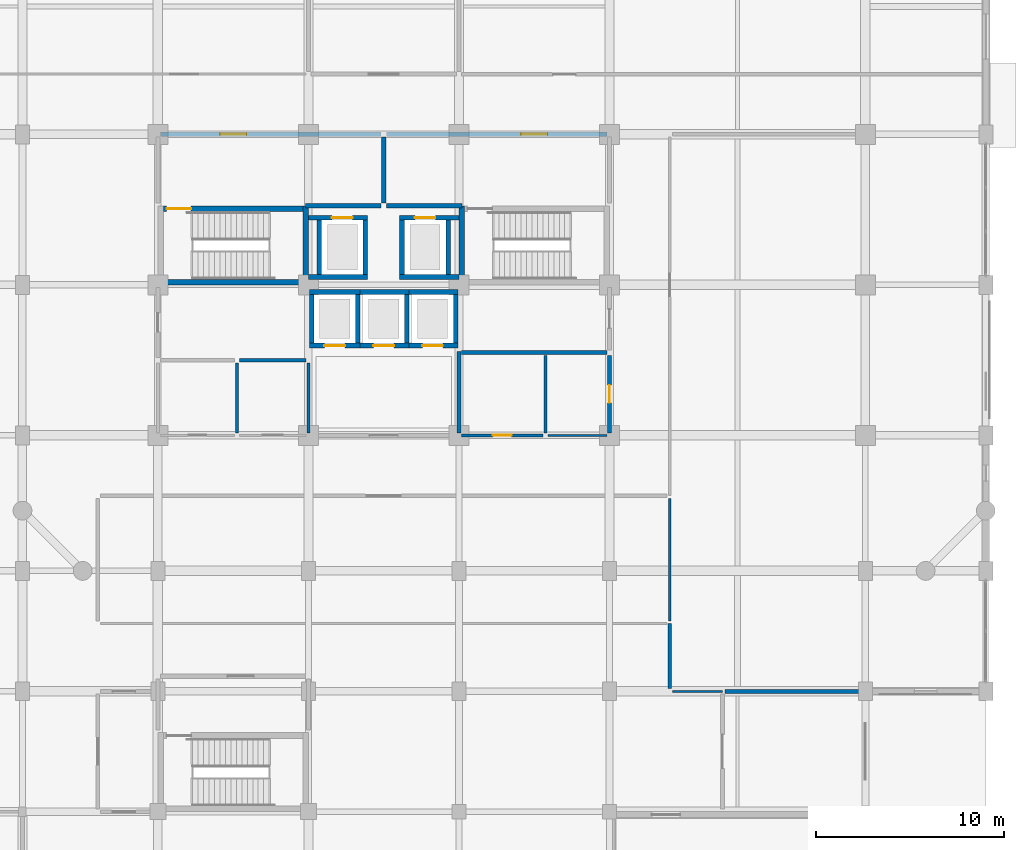
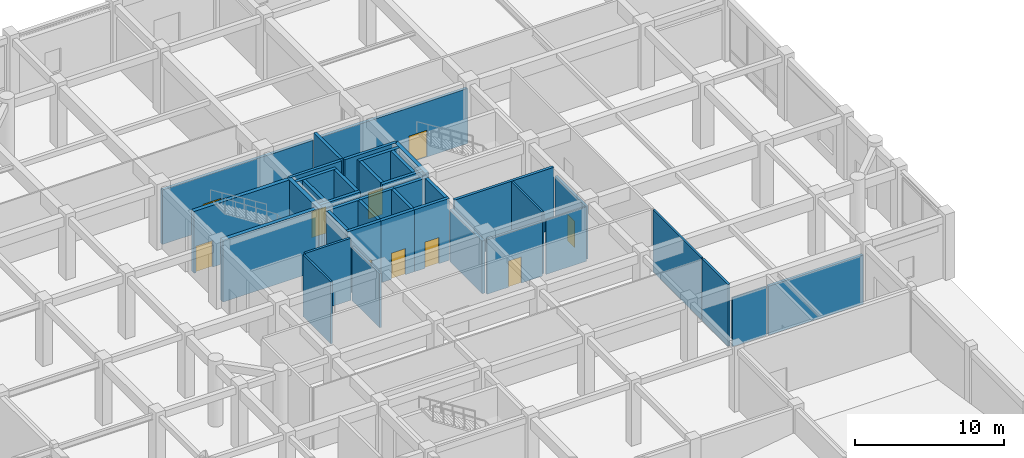
# One storey, part 33 of 40: 40 walls, 10 doors, 10 openings.
"""IFC4 building model written with IfcOpenShell, lengths in metres."""

from ifc_helpers import new_model, si_unit, direction, frame, frame_2d, origin, place, context, subcontext, project, spatial, rectangle, extrude, material, layer, layer_set, type_object, element, fill, save


model = new_model("IFC4")

# Units and contexts
model_context = context("Model", 3, precision=1e-05, world=origin(), true_north=direction((0.0, 1.0)))
body_context = subcontext(model_context, "Body", "Model", "MODEL_VIEW")
ifc_project = project(units=[si_unit("LENGTHUNIT", "METRE"), si_unit("AREAUNIT", "SQUARE_METRE"), si_unit("VOLUMEUNIT", "CUBIC_METRE"), si_unit("PLANEANGLEUNIT", "RADIAN"), si_unit("MASSUNIT", "GRAM", prefix="KILO")], contexts=[model_context])

# Site, building, storey
site_placement = place(None, origin())
site = spatial("IfcSite", under=ifc_project, at=site_placement, CompositionType="ELEMENT")
building_placement = place(site_placement, origin())
building = spatial("IfcBuilding", under=site, at=building_placement, Name="Vellmiral Cinema and Media Centre", CompositionType="ELEMENT")
storey_placement = place(building_placement, origin())
storey = spatial("IfcBuildingStorey", under=building, at=storey_placement, Name="L00", CompositionType="ELEMENT", Elevation=0.0)

# Walls
ifc_material_1 = material(Name="Concrete C40/50", Category="concrete")
ifc_layer_1 = layer(ifc_material_1, 0.2099609375, Name="Concrete C40/50")
ifc_layer_set_1 = layer_set([ifc_layer_1], Name="Concrete C40/50")
wall_type_1 = type_object("IfcWallType", Name="WL-COMP-210", PredefinedType="SOLIDWALL", material=ifc_layer_set_1)
wall_1_placement = place(storey_placement, frame((140.139892578125, 83.60009765625, 0.0), z_axis=(0.0, 0.0, 1.0), x_axis=(1.0, 0.0, 0.0)))
element("IfcWall", 1, at=wall_1_placement, inside=storey, type_object=wall_type_1, Name="Mechanical Riser and Duct Room Wall S", PredefinedType="SOLIDWALL", context=body_context, shape_type="SweptSolid", body=[
    extrude(rectangle(XDim=7.72021484375, YDim=0.2099609375, at=frame_2d((3.860107421875, 0.0))), origin(), (0.0, 0.0, 1.0), 5.080078125),
])
wall_2_placement = place(storey_placement, frame((154.139892578125, 65.60009765625, 0.0), z_axis=(0.0, 0.0, 1.0), x_axis=(1.0, 0.0, 0.0)))
element("IfcWall", 2, at=wall_2_placement, inside=storey, type_object=wall_type_1, Name="Broadcast Ground Loading Bay Wall N", PredefinedType="SOLIDWALL", context=body_context, shape_type="SweptSolid", body=[
    extrude(rectangle(XDim=7.355224609375, YDim=0.2099609375, at=frame_2d((3.677734375, 0.0))), origin(), (0.0, 0.0, 1.0), 4.02490234375),
])
ifc_material_2 = material(Name="Concrete C40/50", Category="concrete")
ifc_layer_2 = layer(ifc_material_2, 0.300048828125, Name="Concrete C40/50")
ifc_layer_set_2 = layer_set([ifc_layer_2], Name="Concrete C40/50")
wall_type_2 = type_object("IfcWallType", Name="WL-CORE-300", PredefinedType="SHEAR", material=ifc_layer_set_2)
wall_3_placement = place(storey_placement, frame((131.85009765625, 87.199951171875, 0.0), z_axis=(0.0, 0.0, 1.0), x_axis=(0.0, 1.0, 0.0)))
element("IfcWall", 3, at=wall_3_placement, inside=storey, type_object=wall_type_2, Name="Stair Core Wall ST-T1 L00-E", PredefinedType="SHEAR", context=body_context, shape_type="SweptSolid", body=[
    extrude(rectangle(XDim=4.199951171875, YDim=0.300048828125, at=frame_2d((2.10009765625, 0.0))), origin(), (0.0, 0.0, 1.0), 5.080078125),
])
wall_4_placement = place(storey_placement, frame((124.300048828125, 87.35009765625, 0.0), z_axis=(0.0, 0.0, 1.0), x_axis=(1.0, 0.0, 0.0)))
element("IfcWall", 4, at=wall_4_placement, inside=storey, type_object=wall_type_2, Name="Stair Core Wall ST-T1 L00-S", PredefinedType="SHEAR", context=body_context, shape_type="SweptSolid", body=[
    extrude(rectangle(XDim=7.39990234375, YDim=0.300048828125, at=frame_2d((3.699951171875, 0.0))), origin(), (0.0, 0.0, 1.0), 5.080078125),
])

# Wall, opening, door
wall_5_placement = place(storey_placement, frame((124.300048828125, 91.25, 0.0), z_axis=(0.0, 0.0, 1.0), x_axis=(1.0, 0.0, 0.0)))
wall_5 = element("IfcWall", 5, at=wall_5_placement, inside=storey, type_object=wall_type_2, Name="Stair Core Wall ST-T1 L00-N", PredefinedType="SHEAR", context=body_context, shape_type="SweptSolid", body=[
    extrude(rectangle(XDim=7.39990234375, YDim=0.300048828125, at=frame_2d((3.699951171875, 0.0))), origin(), (0.0, 0.0, 1.0), 5.080078125),
])
opening_1_placement = place(wall_5_placement, frame((0.159912109375, 0.0, 0.0)))
opening_1 = element("IfcOpeningElement", 6, at=opening_1_placement, cuts=wall_5, Name="Opening D-FD30A", PredefinedType="OPENING", context=body_context, shape_type="SweptSolid", body=[
    extrude(rectangle(XDim=1.300048828125, YDim=2.179931640625, at=frame_2d((0.64990234375, 1.08984375))), frame((0.0, 0.162109375, 0.0), z_axis=(0.0, -1.0, 0.0), x_axis=(1.0, 0.0, 0.0)), (0.0, 0.0, 1.0), 0.323974609375),
])
ifc_material_3 = material(Name="Steel Stair Fire Door", Category="steel")
door_type_1 = type_object("IfcDoorType", Name="DR-FD30-1300x2180", OperationType="NOTDEFINED", PredefinedType="DOOR", material=ifc_material_3)
door_1_placement = place(opening_1_placement, origin())
door_1 = element("IfcDoor", 7, at=door_1_placement, inside=storey, type_object=door_type_1, Name="Protected Stair Door ST-T1 L00", OperationType="SINGLE_SWING_LEFT", OverallHeight=2.179931640625, OverallWidth=1.300048828125, PredefinedType="DOOR", context=body_context, shape_type="SweptSolid", body=[
    extrude(rectangle(XDim=1.300048828125, YDim=2.179931640625, at=frame_2d((0.64990234375, 1.08984375))), frame((0.0, 0.02490234375, 0.0), z_axis=(0.0, -1.0, 0.0), x_axis=(1.0, 0.0, 0.0)), (0.0, 0.0, 1.0), 0.050048828125),
])
fill(opening_1, door_1)

# Walls
wall_6_placement = place(storey_placement, frame((140.14990234375, 87.199951171875, 0.0), z_axis=(0.0, 0.0, 1.0), x_axis=(0.0, 1.0, 0.0)))
element("IfcWall", 8, at=wall_6_placement, inside=storey, type_object=wall_type_2, Name="Stair Core Wall ST-T2 L00-W", PredefinedType="SHEAR", context=body_context, shape_type="SweptSolid", body=[
    extrude(rectangle(XDim=4.199951171875, YDim=0.300048828125, at=frame_2d((2.10009765625, 0.0))), origin(), (0.0, 0.0, 1.0), 5.080078125),
])
ifc_material_4 = material(Name="Concrete C40/50", Category="concrete")
ifc_layer_3 = layer(ifc_material_4, 0.22998046875, Name="Concrete C40/50")
ifc_layer_set_3 = layer_set([ifc_layer_3], Name="Concrete C40/50")
wall_type_3 = type_object("IfcWallType", Name="WL-FFL-230", PredefinedType="SOLIDWALL", material=ifc_layer_set_3)
wall_7_placement = place(storey_placement, frame((131.840087890625, 91.39990234375, 0.0), z_axis=(0.0, 0.0, 1.0), x_axis=(1.0, 0.0, 0.0)))
element("IfcWall", 9, at=wall_7_placement, inside=storey, type_object=wall_type_3, Name="Firefighting Lobby West Wall S", PredefinedType="SOLIDWALL", context=body_context, shape_type="SweptSolid", body=[
    extrude(rectangle(XDim=4.02001953125, YDim=0.22998046875, at=frame_2d((2.010009765625, 0.0))), origin(), (0.0, 0.0, 1.0), 5.080078125),
])

# Wall, opening, door
wall_8_placement = place(storey_placement, frame((124.139892578125, 95.199951171875, 0.0), z_axis=(0.0, 0.0, 1.0), x_axis=(1.0, 0.0, 0.0)))
wall_8 = element("IfcWall", 10, at=wall_8_placement, inside=storey, type_object=wall_type_3, Name="Firefighting Lobby West Wall N", PredefinedType="SOLIDWALL", context=body_context, shape_type="SweptSolid", body=[
    extrude(rectangle(XDim=11.72021484375, YDim=0.22998046875, at=frame_2d((5.860107421875, 0.0))), origin(), (0.0, 0.0, 1.0), 4.47509765625),
])
opening_2_placement = place(wall_8_placement, frame((3.159912109375, 0.0, 0.0)))
opening_2 = element("IfcOpeningElement", 11, at=opening_2_placement, cuts=wall_8, Name="Opening D-FD60B", PredefinedType="OPENING", context=body_context, shape_type="SweptSolid", body=[
    extrude(rectangle(XDim=1.39990234375, YDim=2.199951171875, at=frame_2d((0.699951171875, 1.10009765625))), frame((0.0, 0.126953125, 0.0), z_axis=(0.0, -1.0, 0.0), x_axis=(1.0, 0.0, 0.0)), (0.0, 0.0, 1.0), 0.25390625),
])
ifc_material_5 = material(Name="Steel Fire Door", Category="steel")
door_type_2 = type_object("IfcDoorType", Name="DR-FD60-1400x2200", OperationType="NOTDEFINED", PredefinedType="DOOR", material=ifc_material_5)
door_2_placement = place(opening_2_placement, origin())
door_2 = element("IfcDoor", 12, at=door_2_placement, inside=storey, type_object=door_type_2, Name="Firefighting Lobby West Door", OperationType="SINGLE_SWING_LEFT", OverallHeight=2.199951171875, OverallWidth=1.39990234375, PredefinedType="DOOR", context=body_context, shape_type="SweptSolid", body=[
    extrude(rectangle(XDim=1.39990234375, YDim=2.199951171875, at=frame_2d((0.699951171875, 1.10009765625))), frame((0.0, 0.02490234375, 0.0), z_axis=(0.0, -1.0, 0.0), x_axis=(1.0, 0.0, 0.0)), (0.0, 0.0, 1.0), 0.050048828125),
])
fill(opening_2, door_2)

# Walls
wall_9_placement = place(storey_placement, frame((136.0, 91.5400390625, 0.0), z_axis=(0.0, 0.0, 1.0), x_axis=(0.0, 1.0, 0.0)))
element("IfcWall", 13, at=wall_9_placement, inside=storey, type_object=wall_type_3, Name="Firefighting Lobby West Wall E", PredefinedType="SOLIDWALL", context=body_context, shape_type="SweptSolid", body=[
    extrude(rectangle(XDim=3.52001953125, YDim=0.22998046875, at=frame_2d((1.760009765625, 0.0))), origin(), (0.0, 0.0, 1.0), 5.080078125),
])
wall_10_placement = place(storey_placement, frame((136.139892578125, 91.39990234375, 0.0), z_axis=(0.0, 0.0, 1.0), x_axis=(1.0, 0.0, 0.0)))
element("IfcWall", 14, at=wall_10_placement, inside=storey, type_object=wall_type_3, Name="Firefighting Lobby East Wall S", PredefinedType="SOLIDWALL", context=body_context, shape_type="SweptSolid", body=[
    extrude(rectangle(XDim=4.02001953125, YDim=0.22998046875, at=frame_2d((2.010009765625, 0.0))), origin(), (0.0, 0.0, 1.0), 5.080078125),
])

# Wall, opening, door
wall_11_placement = place(storey_placement, frame((136.139892578125, 95.199951171875, 0.0), z_axis=(0.0, 0.0, 1.0), x_axis=(1.0, 0.0, 0.0)))
wall_11 = element("IfcWall", 15, at=wall_11_placement, inside=storey, type_object=wall_type_3, Name="Firefighting Lobby East Wall N", PredefinedType="SOLIDWALL", context=body_context, shape_type="SweptSolid", body=[
    extrude(rectangle(XDim=11.72021484375, YDim=0.22998046875, at=frame_2d((5.860107421875, 0.0))), origin(), (0.0, 0.0, 1.0), 4.52490234375),
])
opening_3_placement = place(wall_11_placement, frame((7.159912109375, 0.0, 0.0)))
opening_3 = element("IfcOpeningElement", 16, at=opening_3_placement, cuts=wall_11, Name="Opening D-FD60B", PredefinedType="OPENING", context=body_context, shape_type="SweptSolid", body=[
    extrude(rectangle(XDim=1.39990234375, YDim=2.199951171875, at=frame_2d((0.699951171875, 1.10009765625))), frame((0.0, 0.126953125, 0.0), z_axis=(0.0, -1.0, 0.0), x_axis=(1.0, 0.0, 0.0)), (0.0, 0.0, 1.0), 0.25390625),
])
door_3_placement = place(opening_3_placement, origin())
door_3 = element("IfcDoor", 17, at=door_3_placement, inside=storey, type_object=door_type_2, Name="Firefighting Lobby East Door", OperationType="SINGLE_SWING_RIGHT", OverallHeight=2.199951171875, OverallWidth=1.39990234375, PredefinedType="DOOR", context=body_context, shape_type="SweptSolid", body=[
    extrude(rectangle(XDim=1.39990234375, YDim=2.199951171875, at=frame_2d((0.699951171875, 1.10009765625))), frame((0.0, 0.02490234375, 0.0), z_axis=(0.0, -1.0, 0.0), x_axis=(1.0, 0.0, 0.0)), (0.0, 0.0, 1.0), 0.050048828125),
])
fill(opening_3, door_3)

# Walls
wall_12_placement = place(storey_placement, frame((140.0, 79.340087890625, 0.0), z_axis=(0.0, 0.0, 1.0), x_axis=(0.0, 1.0, 0.0)))
element("IfcWall", 18, at=wall_12_placement, inside=storey, type_object=wall_type_3, Name="Tower Passenger Lift Lobby Wall E", PredefinedType="SOLIDWALL", context=body_context, shape_type="SweptSolid", body=[
    extrude(rectangle(XDim=4.31982421875, YDim=0.22998046875, at=frame_2d((2.159912109375, 0.0))), origin(), (0.0, 0.0, 1.0), 4.324951171875),
])
ifc_material_6 = material(Name="Gypsum Plasterboard")
ifc_layer_4 = layer(ifc_material_6, 0.02490234375, Name="Gypsum Plasterboard", Category="gypsum")
ifc_material_7 = material(Name="Mineral Wool Acoustic Insulation", Category="insulation")
ifc_layer_5 = layer(ifc_material_7, 0.06005859375, Name="Mineral Wool Acoustic Insulation", Category="insulation")
ifc_layer_6 = layer(ifc_material_6, 0.02490234375, Name="Gypsum Plasterboard", Category="gypsum")
ifc_layer_set_4 = layer_set([ifc_layer_4, ifc_layer_5, ifc_layer_6], Name="Gypsum Plasterboard")
wall_type_4 = type_object("IfcWallType", Name="WL-PART-110", PredefinedType="PARTITIONING", material=ifc_layer_set_4)
wall_13_placement = place(storey_placement, frame((144.739990234375, 79.199951171875, 0.0), z_axis=(0.0, 0.0, 1.0), x_axis=(1.0, 0.0, 0.0)))
element("IfcWall", 19, at=wall_13_placement, inside=storey, type_object=wall_type_4, Name="Equipment Store Room Wall S", PredefinedType="PARTITIONING", context=body_context, shape_type="SweptSolid", body=[
    extrude(rectangle(XDim=3.1201171875, YDim=0.110107421875, at=frame_2d((1.56005859375, 0.0))), origin(), (0.0, 0.0, 1.0), 4.47509765625),
])
wall_14_placement = place(storey_placement, frame((151.340087890625, 65.60009765625, 0.0), z_axis=(0.0, 0.0, 1.0), x_axis=(1.0, 0.0, 0.0)))
element("IfcWall", 20, at=wall_14_placement, inside=storey, type_object=wall_type_4, Name="Tower Ground Editorial Office Wall S", PredefinedType="PARTITIONING", context=body_context, shape_type="SweptSolid", body=[
    extrude(rectangle(XDim=2.659912109375, YDim=0.110107421875, at=frame_2d((1.330078125, 0.0))), origin(), (0.0, 0.0, 1.0), 4.02490234375),
])
ifc_material_8 = material(Name="Gypsum Plasterboard")
ifc_layer_7 = layer(ifc_material_8, 0.02490234375, Name="Gypsum Plasterboard", Category="gypsum")
ifc_material_9 = material(Name="Mineral Wool Acoustic Insulation", Category="insulation")
ifc_layer_8 = layer(ifc_material_9, 0.10009765625, Name="Mineral Wool Acoustic Insulation", Category="insulation")
ifc_layer_9 = layer(ifc_material_8, 0.02490234375, Name="Gypsum Plasterboard", Category="gypsum")
ifc_layer_set_5 = layer_set([ifc_layer_7, ifc_layer_8, ifc_layer_9], Name="Gypsum Plasterboard")
wall_type_5 = type_object("IfcWallType", Name="WL-PART-150", PredefinedType="PARTITIONING", material=ifc_layer_set_5)
wall_15_placement = place(storey_placement, frame((128.199951171875, 79.340087890625, 0.0), z_axis=(0.0, 0.0, 1.0), x_axis=(0.0, 1.0, 0.0)))
element("IfcWall", 21, at=wall_15_placement, inside=storey, type_object=wall_type_5, Name="Staff WC Wall E", PredefinedType="PARTITIONING", context=body_context, shape_type="SweptSolid", body=[
    extrude(rectangle(XDim=3.719970703125, YDim=0.14990234375, at=frame_2d((1.85986328125, 0.0))), origin(), (0.0, 0.0, 1.0), 5.080078125),
])
wall_16_placement = place(storey_placement, frame((144.60009765625, 79.340087890625, 0.0), z_axis=(0.0, 0.0, 1.0), x_axis=(0.0, 1.0, 0.0)))
element("IfcWall", 22, at=wall_16_placement, inside=storey, type_object=wall_type_5, Name="Staff Tea Pantry Wall E", PredefinedType="PARTITIONING", context=body_context, shape_type="SweptSolid", body=[
    extrude(rectangle(XDim=4.119873046875, YDim=0.14990234375, at=frame_2d((2.06005859375, 0.0))), origin(), (0.0, 0.0, 1.0), 5.080078125),
])
wall_17_placement = place(storey_placement, frame((151.199951171875, 69.340087890625, 0.0), z_axis=(0.0, 0.0, 1.0), x_axis=(0.0, 1.0, 0.0)))
element("IfcWall", 23, at=wall_17_placement, inside=storey, type_object=wall_type_5, Name="Tower Ground Entrance Reception Wall E", PredefinedType="PARTITIONING", context=body_context, shape_type="SweptSolid", body=[
    extrude(rectangle(XDim=6.52001953125, YDim=0.14990234375, at=frame_2d((3.260009765625, 0.0))), origin(), (0.0, 0.0, 1.0), 5.080078125),
])
ifc_material_10 = material(Name="Gypsum Plasterboard")
ifc_layer_10 = layer(ifc_material_10, 0.02490234375, Name="Gypsum Plasterboard", Category="gypsum")
ifc_material_11 = material(Name="Mineral Wool Acoustic Insulation", Category="insulation")
ifc_layer_11 = layer(ifc_material_11, 0.1201171875, Name="Mineral Wool Acoustic Insulation", Category="insulation")
ifc_layer_12 = layer(ifc_material_10, 0.02490234375, Name="Gypsum Plasterboard", Category="gypsum")
ifc_layer_set_6 = layer_set([ifc_layer_10, ifc_layer_11, ifc_layer_12], Name="Gypsum Plasterboard")
wall_type_6 = type_object("IfcWallType", Name="WL-PART-170", PredefinedType="PARTITIONING", material=ifc_layer_set_6)
wall_18_placement = place(storey_placement, frame((132.0, 79.340087890625, 0.0), z_axis=(0.0, 0.0, 1.0), x_axis=(0.0, 1.0, 0.0)))
element("IfcWall", 24, at=wall_18_placement, inside=storey, type_object=wall_type_6, Name="Accessible WC Wall E", PredefinedType="PARTITIONING", context=body_context, shape_type="SweptSolid", body=[
    extrude(rectangle(XDim=3.719970703125, YDim=0.169921875, at=frame_2d((1.85986328125, 0.0))), origin(), (0.0, 0.0, 1.0), 4.425048828125),
])

# Wall, opening, door
wall_19_placement = place(storey_placement, frame((140.139892578125, 79.199951171875, 0.0), z_axis=(0.0, 0.0, 1.0), x_axis=(1.0, 0.0, 0.0)))
wall_19 = element("IfcWall", 25, at=wall_19_placement, inside=storey, type_object=wall_type_6, Name="Staff Tea Pantry Wall S", PredefinedType="PARTITIONING", context=body_context, shape_type="SweptSolid", body=[
    extrude(rectangle(XDim=4.320068359375, YDim=0.169921875, at=frame_2d((2.16015625, 0.0))), origin(), (0.0, 0.0, 1.0), 4.47509765625),
])
opening_4_placement = place(wall_19_placement, frame((1.659912109375, 0.0, 0.0)))
opening_4 = element("IfcOpeningElement", 26, at=opening_4_placement, cuts=wall_19, Name="Opening D-I08", PredefinedType="OPENING", context=body_context, shape_type="SweptSolid", body=[
    extrude(rectangle(XDim=1.0, YDim=2.14990234375, at=frame_2d((0.5, 1.074951171875))), frame((0.0, 0.096923828125, 0.0), z_axis=(0.0, -1.0, 0.0), x_axis=(1.0, 0.0, 0.0)), (0.0, 0.0, 1.0), 0.19384765625),
])
ifc_material_12 = material(Name="Laminated Timber Door", Category="wood")
door_type_3 = type_object("IfcDoorType", Name="DR-INT-1000x2150", OperationType="NOTDEFINED", PredefinedType="DOOR", material=ifc_material_12)
door_4_placement = place(opening_4_placement, origin())
door_4 = element("IfcDoor", 27, at=door_4_placement, inside=storey, type_object=door_type_3, Name="Staff Tea Pantry Door", OperationType="SINGLE_SWING_LEFT", OverallHeight=2.14990234375, OverallWidth=1.0, PredefinedType="DOOR", context=body_context, shape_type="SweptSolid", body=[
    extrude(rectangle(XDim=1.0, YDim=2.14990234375, at=frame_2d((0.5, 1.074951171875))), frame((0.0, 0.02490234375, 0.0), z_axis=(0.0, -1.0, 0.0), x_axis=(1.0, 0.0, 0.0)), (0.0, 0.0, 1.0), 0.050048828125),
])
fill(opening_4, door_4)

# Walls
wall_20_placement = place(storey_placement, frame((151.199951171875, 65.739990234375, 0.0), z_axis=(0.0, 0.0, 1.0), x_axis=(0.0, 1.0, 0.0)))
element("IfcWall", 28, at=wall_20_placement, inside=storey, type_object=wall_type_6, Name="Tower Ground Editorial Office Wall W", PredefinedType="PARTITIONING", context=body_context, shape_type="SweptSolid", body=[
    extrude(rectangle(XDim=3.4599609375, YDim=0.169921875, at=frame_2d((1.72998046875, 0.0))), origin(), (0.0, 0.0, 1.0), 5.080078125),
])
ifc_material_13 = material(Name="Gypsum Plasterboard")
ifc_layer_13 = layer(ifc_material_13, 0.02490234375, Name="Gypsum Plasterboard", Category="gypsum")
ifc_material_14 = material(Name="Mineral Wool Acoustic Insulation", Category="insulation")
ifc_layer_14 = layer(ifc_material_14, 0.139892578125, Name="Mineral Wool Acoustic Insulation", Category="insulation")
ifc_layer_15 = layer(ifc_material_13, 0.02490234375, Name="Gypsum Plasterboard", Category="gypsum")
ifc_layer_set_7 = layer_set([ifc_layer_13, ifc_layer_14, ifc_layer_15], Name="Gypsum Plasterboard")
wall_type_7 = type_object("IfcWallType", Name="WL-PART-190", PredefinedType="PARTITIONING", material=ifc_layer_set_7)
wall_21_placement = place(storey_placement, frame((128.340087890625, 83.199951171875, 0.0), z_axis=(0.0, 0.0, 1.0), x_axis=(1.0, 0.0, 0.0)))
element("IfcWall", 29, at=wall_21_placement, inside=storey, type_object=wall_type_7, Name="Accessible WC Wall N", PredefinedType="PARTITIONING", context=body_context, shape_type="SweptSolid", body=[
    extrude(rectangle(XDim=3.52001953125, YDim=0.18994140625, at=frame_2d((1.760009765625, 0.0))), origin(), (0.0, 0.0, 1.0), 5.080078125),
])

# Wall, opening, door
wall_22_placement = place(storey_placement, frame((148.0, 79.340087890625, 0.0), z_axis=(0.0, 0.0, 1.0), x_axis=(0.0, 1.0, 0.0)))
wall_22 = element("IfcWall", 30, at=wall_22_placement, inside=storey, type_object=wall_type_7, Name="Equipment Store Room Wall E", PredefinedType="PARTITIONING", context=body_context, shape_type="SweptSolid", body=[
    extrude(rectangle(XDim=4.119873046875, YDim=0.18994140625, at=frame_2d((2.06005859375, 0.0))), origin(), (0.0, 0.0, 1.0), 4.375),
])
opening_5_placement = place(wall_22_placement, frame((1.5849609375, 0.0, 0.0)))
opening_5 = element("IfcOpeningElement", 31, at=opening_5_placement, cuts=wall_22, Name="Opening D-I09", PredefinedType="OPENING", context=body_context, shape_type="SweptSolid", body=[
    extrude(rectangle(XDim=0.949951171875, YDim=2.14990234375, at=frame_2d((0.47509765625, 1.074951171875))), frame((0.0, 0.10693359375, 0.0), z_axis=(0.0, -1.0, 0.0), x_axis=(1.0, 0.0, 0.0)), (0.0, 0.0, 1.0), 0.2138671875),
])
ifc_material_15 = material(Name="Moisture-Resistant Timber Door", Category="wood")
door_type_4 = type_object("IfcDoorType", Name="DR-INT-950x2150", OperationType="NOTDEFINED", PredefinedType="DOOR", material=ifc_material_15)
door_5_placement = place(opening_5_placement, origin())
door_5 = element("IfcDoor", 32, at=door_5_placement, inside=storey, type_object=door_type_4, Name="Equipment Store Room Door", OperationType="SINGLE_SWING_RIGHT", OverallHeight=2.14990234375, OverallWidth=0.949951171875, PredefinedType="DOOR", context=body_context, shape_type="SweptSolid", body=[
    extrude(rectangle(XDim=0.949951171875, YDim=2.14990234375, at=frame_2d((0.47509765625, 1.074951171875))), frame((0.0, 0.02490234375, 0.0), z_axis=(0.0, -1.0, 0.0), x_axis=(1.0, 0.0, 0.0)), (0.0, 0.0, 1.0), 0.050048828125),
])
fill(opening_5, door_5)

# Wall
ifc_material_16 = material(Name="Concrete C40/50", Category="concrete")
ifc_layer_16 = layer(ifc_material_16, 0.25, Name="Concrete C40/50")
ifc_layer_set_8 = layer_set([ifc_layer_16], Name="Concrete C40/50")
wall_type_8 = type_object("IfcWallType", Name="WL-SHAFT-250", PredefinedType="SHEAR", material=ifc_layer_set_8)
wall_23_placement = place(storey_placement, frame((132.0, 87.625, 0.0), z_axis=(0.0, 0.0, 1.0), x_axis=(1.0, 0.0, 0.0)))
element("IfcWall", 33, at=wall_23_placement, inside=storey, type_object=wall_type_8, Name="Lift Shaft Wall LF-FF1 L00-S", PredefinedType="SHEAR", context=body_context, shape_type="SweptSolid", body=[
    extrude(rectangle(XDim=3.14990234375, YDim=0.25, at=frame_2d((1.574951171875, 0.0))), origin(), (0.0, 0.0, 1.0), 5.080078125),
])

# Wall, opening, door
wall_24_placement = place(storey_placement, frame((132.0, 90.77490234375, 0.0), z_axis=(0.0, 0.0, 1.0), x_axis=(1.0, 0.0, 0.0)))
wall_24 = element("IfcWall", 34, at=wall_24_placement, inside=storey, type_object=wall_type_8, Name="Lift Shaft Wall LF-FF1 L00-N", PredefinedType="SHEAR", context=body_context, shape_type="SweptSolid", body=[
    extrude(rectangle(XDim=3.14990234375, YDim=0.25, at=frame_2d((1.574951171875, 0.0))), origin(), (0.0, 0.0, 1.0), 5.080078125),
])
opening_6_placement = place(wall_24_placement, frame((1.25, 0.0, 0.0)))
opening_6 = element("IfcOpeningElement", 35, at=opening_6_placement, cuts=wall_24, Name="Opening LD-01", PredefinedType="OPENING", context=body_context, shape_type="SweptSolid", body=[
    extrude(rectangle(XDim=1.10009765625, YDim=2.14990234375, at=frame_2d((0.550048828125, 1.074951171875))), frame((0.0, 0.136962890625, 0.0), z_axis=(0.0, -1.0, 0.0), x_axis=(1.0, 0.0, 0.0)), (0.0, 0.0, 1.0), 0.27392578125),
])
ifc_material_17 = material(Name="Stainless Steel Lift Landing Door", Category="steel")
door_type_5 = type_object("IfcDoorType", Name="DR-LIFT-1100x2150", OperationType="SLIDING_TO_LEFT", PredefinedType="DOOR", material=ifc_material_17)
door_6_placement = place(opening_6_placement, origin())
door_6 = element("IfcDoor", 36, at=door_6_placement, inside=storey, type_object=door_type_5, Name="Lift Landing Door LF-FF1 L00", OperationType="SLIDING_TO_LEFT", OverallHeight=2.14990234375, OverallWidth=1.10009765625, PredefinedType="DOOR", context=body_context, shape_type="SweptSolid", body=[
    extrude(rectangle(XDim=1.10009765625, YDim=2.14990234375, at=frame_2d((0.550048828125, 1.074951171875))), frame((0.0, 0.02490234375, 0.0), z_axis=(0.0, -1.0, 0.0), x_axis=(1.0, 0.0, 0.0)), (0.0, 0.0, 1.0), 0.050048828125),
])
fill(opening_6, door_6)

# Walls
for number, where, z_axis, x_axis, name in (
    (37, (132.574951171875, 87.75, 0.0), (0.0, 0.0, 1.0), (0.0, 1.0, 0.0), "Lift Shaft Wall LF-FF1 L00-W"),
    (38, (135.02490234375, 87.75, 0.0), (0.0, 0.0, 1.0), (0.0, 1.0, 0.0), "Lift Shaft Wall LF-FF1 L00-E"),
):
    element("IfcWall", number, at=place(storey_placement, frame(where, z_axis=z_axis, x_axis=x_axis)), inside=storey, type_object=wall_type_8, Name=name, PredefinedType="SHEAR", context=body_context, shape_type="SweptSolid", body=[
        extrude(rectangle(XDim=2.89990234375, YDim=0.25, at=frame_2d((1.449951171875, 0.0))), origin(), (0.0, 0.0, 1.0), 5.080078125),
    ])
wall_25_placement = place(storey_placement, frame((136.85009765625, 87.625, 0.0), z_axis=(0.0, 0.0, 1.0), x_axis=(1.0, 0.0, 0.0)))
element("IfcWall", 39, at=wall_25_placement, inside=storey, type_object=wall_type_8, Name="Lift Shaft Wall LF-FF2 L00-S", PredefinedType="SHEAR", context=body_context, shape_type="SweptSolid", body=[
    extrude(rectangle(XDim=3.14990234375, YDim=0.25, at=frame_2d((1.574951171875, 0.0))), origin(), (0.0, 0.0, 1.0), 5.080078125),
])

# Wall, opening, door
wall_26_placement = place(storey_placement, frame((136.85009765625, 90.77490234375, 0.0), z_axis=(0.0, 0.0, 1.0), x_axis=(1.0, 0.0, 0.0)))
wall_26 = element("IfcWall", 40, at=wall_26_placement, inside=storey, type_object=wall_type_8, Name="Lift Shaft Wall LF-FF2 L00-N", PredefinedType="SHEAR", context=body_context, shape_type="SweptSolid", body=[
    extrude(rectangle(XDim=3.14990234375, YDim=0.25, at=frame_2d((1.574951171875, 0.0))), origin(), (0.0, 0.0, 1.0), 5.080078125),
])
opening_7_placement = place(wall_26_placement, frame((0.800048828125, 0.0, 0.0)))
opening_7 = element("IfcOpeningElement", 41, at=opening_7_placement, cuts=wall_26, Name="Opening LD-01", PredefinedType="OPENING", context=body_context, shape_type="SweptSolid", body=[
    extrude(rectangle(XDim=1.10009765625, YDim=2.14990234375, at=frame_2d((0.550048828125, 1.074951171875))), frame((0.0, 0.136962890625, 0.0), z_axis=(0.0, -1.0, 0.0), x_axis=(1.0, 0.0, 0.0)), (0.0, 0.0, 1.0), 0.27392578125),
])
door_7_placement = place(opening_7_placement, origin())
door_7 = element("IfcDoor", 42, at=door_7_placement, inside=storey, type_object=door_type_5, Name="Lift Landing Door LF-FF2 L00", OperationType="SLIDING_TO_LEFT", OverallHeight=2.14990234375, OverallWidth=1.10009765625, PredefinedType="DOOR", context=body_context, shape_type="SweptSolid", body=[
    extrude(rectangle(XDim=1.10009765625, YDim=2.14990234375, at=frame_2d((0.550048828125, 1.074951171875))), frame((0.0, 0.02490234375, 0.0), z_axis=(0.0, -1.0, 0.0), x_axis=(1.0, 0.0, 0.0)), (0.0, 0.0, 1.0), 0.050048828125),
])
fill(opening_7, door_7)

# Walls
for number, where, z_axis, x_axis, name in (
    (43, (136.97509765625, 87.75, 0.0), (0.0, 0.0, 1.0), (0.0, 1.0, 0.0), "Lift Shaft Wall LF-FF2 L00-W"),
    (44, (139.425048828125, 87.75, 0.0), (0.0, 0.0, 1.0), (0.0, 1.0, 0.0), "Lift Shaft Wall LF-FF2 L00-E"),
):
    element("IfcWall", number, at=place(storey_placement, frame(where, z_axis=z_axis, x_axis=x_axis)), inside=storey, type_object=wall_type_8, Name=name, PredefinedType="SHEAR", context=body_context, shape_type="SweptSolid", body=[
        extrude(rectangle(XDim=2.89990234375, YDim=0.25, at=frame_2d((1.449951171875, 0.0))), origin(), (0.0, 0.0, 1.0), 5.080078125),
    ])

# Wall, opening, door
wall_27_placement = place(storey_placement, frame((132.050048828125, 83.97509765625, 0.0), z_axis=(0.0, 0.0, 1.0), x_axis=(1.0, 0.0, 0.0)))
wall_27 = element("IfcWall", 45, at=wall_27_placement, inside=storey, type_object=wall_type_8, Name="Lift Shaft Wall LF-P1 L00-S", PredefinedType="SHEAR", context=body_context, shape_type="SweptSolid", body=[
    extrude(rectangle(XDim=2.699951171875, YDim=0.25, at=frame_2d((1.35009765625, 0.0))), origin(), (0.0, 0.0, 1.0), 5.080078125),
])
opening_8_placement = place(wall_27_placement, frame((0.800048828125, 0.0, 0.0)))
opening_8 = element("IfcOpeningElement", 46, at=opening_8_placement, cuts=wall_27, Name="Opening LD-01", PredefinedType="OPENING", context=body_context, shape_type="SweptSolid", body=[
    extrude(rectangle(XDim=1.10009765625, YDim=2.14990234375, at=frame_2d((0.550048828125, 1.074951171875))), frame((0.0, 0.136962890625, 0.0), z_axis=(0.0, -1.0, 0.0), x_axis=(1.0, 0.0, 0.0)), (0.0, 0.0, 1.0), 0.27392578125),
])
door_8_placement = place(opening_8_placement, origin())
door_8 = element("IfcDoor", 47, at=door_8_placement, inside=storey, type_object=door_type_5, Name="Lift Landing Door LF-P1 L00", OperationType="SLIDING_TO_LEFT", OverallHeight=2.14990234375, OverallWidth=1.10009765625, PredefinedType="DOOR", context=body_context, shape_type="SweptSolid", body=[
    extrude(rectangle(XDim=1.10009765625, YDim=2.14990234375, at=frame_2d((0.550048828125, 1.074951171875))), frame((0.0, 0.02490234375, 0.0), z_axis=(0.0, -1.0, 0.0), x_axis=(1.0, 0.0, 0.0)), (0.0, 0.0, 1.0), 0.050048828125),
])
fill(opening_8, door_8)

# Walls
wall_28_placement = place(storey_placement, frame((132.050048828125, 86.824951171875, 0.0), z_axis=(0.0, 0.0, 1.0), x_axis=(1.0, 0.0, 0.0)))
element("IfcWall", 48, at=wall_28_placement, inside=storey, type_object=wall_type_8, Name="Lift Shaft Wall LF-P1 L00-N", PredefinedType="SHEAR", context=body_context, shape_type="SweptSolid", body=[
    extrude(rectangle(XDim=2.699951171875, YDim=0.25, at=frame_2d((1.35009765625, 0.0))), origin(), (0.0, 0.0, 1.0), 5.080078125),
])
for number, where, z_axis, x_axis, name in (
    (49, (132.175048828125, 84.10009765625, 0.0), (0.0, 0.0, 1.0), (0.0, 1.0, 0.0), "Lift Shaft Wall LF-P1 L00-W"),
    (50, (134.625, 84.10009765625, 0.0), (0.0, 0.0, 1.0), (0.0, 1.0, 0.0), "Lift Shaft Wall LF-P1 L00-E"),
):
    element("IfcWall", number, at=place(storey_placement, frame(where, z_axis=z_axis, x_axis=x_axis)), inside=storey, type_object=wall_type_8, Name=name, PredefinedType="SHEAR", context=body_context, shape_type="SweptSolid", body=[
        extrude(rectangle(XDim=2.599853515625, YDim=0.25, at=frame_2d((1.2998046875, 0.0))), origin(), (0.0, 0.0, 1.0), 5.080078125),
    ])

# Wall, opening, door
wall_29_placement = place(storey_placement, frame((134.64990234375, 83.97509765625, 0.0), z_axis=(0.0, 0.0, 1.0), x_axis=(1.0, 0.0, 0.0)))
wall_29 = element("IfcWall", 51, at=wall_29_placement, inside=storey, type_object=wall_type_8, Name="Lift Shaft Wall LF-P2 L00-S", PredefinedType="SHEAR", context=body_context, shape_type="SweptSolid", body=[
    extrude(rectangle(XDim=2.7001953125, YDim=0.25, at=frame_2d((1.35009765625, 0.0))), origin(), (0.0, 0.0, 1.0), 5.080078125),
])
opening_9_placement = place(wall_29_placement, frame((0.800048828125, 0.0, 0.0)))
opening_9 = element("IfcOpeningElement", 52, at=opening_9_placement, cuts=wall_29, Name="Opening LD-01", PredefinedType="OPENING", context=body_context, shape_type="SweptSolid", body=[
    extrude(rectangle(XDim=1.10009765625, YDim=2.14990234375, at=frame_2d((0.550048828125, 1.074951171875))), frame((0.0, 0.136962890625, 0.0), z_axis=(0.0, -1.0, 0.0), x_axis=(1.0, 0.0, 0.0)), (0.0, 0.0, 1.0), 0.27392578125),
])
door_9_placement = place(opening_9_placement, origin())
door_9 = element("IfcDoor", 53, at=door_9_placement, inside=storey, type_object=door_type_5, Name="Lift Landing Door LF-P2 L00", OperationType="SLIDING_TO_LEFT", OverallHeight=2.14990234375, OverallWidth=1.10009765625, PredefinedType="DOOR", context=body_context, shape_type="SweptSolid", body=[
    extrude(rectangle(XDim=1.10009765625, YDim=2.14990234375, at=frame_2d((0.550048828125, 1.074951171875))), frame((0.0, 0.02490234375, 0.0), z_axis=(0.0, -1.0, 0.0), x_axis=(1.0, 0.0, 0.0)), (0.0, 0.0, 1.0), 0.050048828125),
])
fill(opening_9, door_9)

# Walls
wall_30_placement = place(storey_placement, frame((134.64990234375, 86.824951171875, 0.0), z_axis=(0.0, 0.0, 1.0), x_axis=(1.0, 0.0, 0.0)))
element("IfcWall", 54, at=wall_30_placement, inside=storey, type_object=wall_type_8, Name="Lift Shaft Wall LF-P2 L00-N", PredefinedType="SHEAR", context=body_context, shape_type="SweptSolid", body=[
    extrude(rectangle(XDim=2.7001953125, YDim=0.25, at=frame_2d((1.35009765625, 0.0))), origin(), (0.0, 0.0, 1.0), 5.080078125),
])
wall_31_placement = place(storey_placement, frame((137.22509765625, 84.10009765625, 0.0), z_axis=(0.0, 0.0, 1.0), x_axis=(0.0, 1.0, 0.0)))
element("IfcWall", 55, at=wall_31_placement, inside=storey, type_object=wall_type_8, Name="Lift Shaft Wall LF-P2 L00-E", PredefinedType="SHEAR", context=body_context, shape_type="SweptSolid", body=[
    extrude(rectangle(XDim=2.599853515625, YDim=0.25, at=frame_2d((1.2998046875, 0.0))), origin(), (0.0, 0.0, 1.0), 5.080078125),
])

# Wall, opening, door
wall_32_placement = place(storey_placement, frame((137.25, 83.97509765625, 0.0), z_axis=(0.0, 0.0, 1.0), x_axis=(1.0, 0.0, 0.0)))
wall_32 = element("IfcWall", 56, at=wall_32_placement, inside=storey, type_object=wall_type_8, Name="Lift Shaft Wall LF-P3 L00-S", PredefinedType="SHEAR", context=body_context, shape_type="SweptSolid", body=[
    extrude(rectangle(XDim=2.699951171875, YDim=0.25, at=frame_2d((1.35009765625, 0.0))), origin(), (0.0, 0.0, 1.0), 5.080078125),
])
opening_10_placement = place(wall_32_placement, frame((0.800048828125, 0.0, 0.0)))
opening_10 = element("IfcOpeningElement", 57, at=opening_10_placement, cuts=wall_32, Name="Opening LD-01", PredefinedType="OPENING", context=body_context, shape_type="SweptSolid", body=[
    extrude(rectangle(XDim=1.10009765625, YDim=2.14990234375, at=frame_2d((0.550048828125, 1.074951171875))), frame((0.0, 0.136962890625, 0.0), z_axis=(0.0, -1.0, 0.0), x_axis=(1.0, 0.0, 0.0)), (0.0, 0.0, 1.0), 0.27392578125),
])
door_10_placement = place(opening_10_placement, origin())
door_10 = element("IfcDoor", 58, at=door_10_placement, inside=storey, type_object=door_type_5, Name="Lift Landing Door LF-P3 L00", OperationType="SLIDING_TO_LEFT", OverallHeight=2.14990234375, OverallWidth=1.10009765625, PredefinedType="DOOR", context=body_context, shape_type="SweptSolid", body=[
    extrude(rectangle(XDim=1.10009765625, YDim=2.14990234375, at=frame_2d((0.550048828125, 1.074951171875))), frame((0.0, 0.02490234375, 0.0), z_axis=(0.0, -1.0, 0.0), x_axis=(1.0, 0.0, 0.0)), (0.0, 0.0, 1.0), 0.050048828125),
])
fill(opening_10, door_10)

# Walls
wall_33_placement = place(storey_placement, frame((137.25, 86.824951171875, 0.0), z_axis=(0.0, 0.0, 1.0), x_axis=(1.0, 0.0, 0.0)))
element("IfcWall", 59, at=wall_33_placement, inside=storey, type_object=wall_type_8, Name="Lift Shaft Wall LF-P3 L00-N", PredefinedType="SHEAR", context=body_context, shape_type="SweptSolid", body=[
    extrude(rectangle(XDim=2.699951171875, YDim=0.25, at=frame_2d((1.35009765625, 0.0))), origin(), (0.0, 0.0, 1.0), 5.080078125),
])
wall_34_placement = place(storey_placement, frame((139.824951171875, 84.10009765625, 0.0), z_axis=(0.0, 0.0, 1.0), x_axis=(0.0, 1.0, 0.0)))
element("IfcWall", 60, at=wall_34_placement, inside=storey, type_object=wall_type_8, Name="Lift Shaft Wall LF-P3 L00-E", PredefinedType="SHEAR", context=body_context, shape_type="SweptSolid", body=[
    extrude(rectangle(XDim=2.599853515625, YDim=0.25, at=frame_2d((1.2998046875, 0.0))), origin(), (0.0, 0.0, 1.0), 5.080078125),
])

save(model, "model.ifc")
